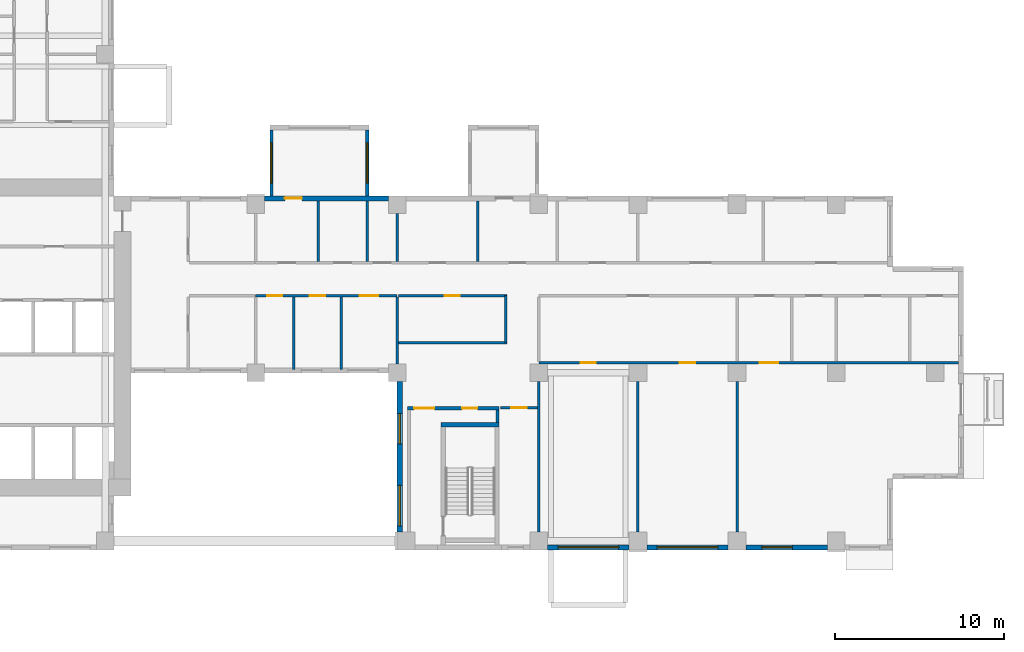
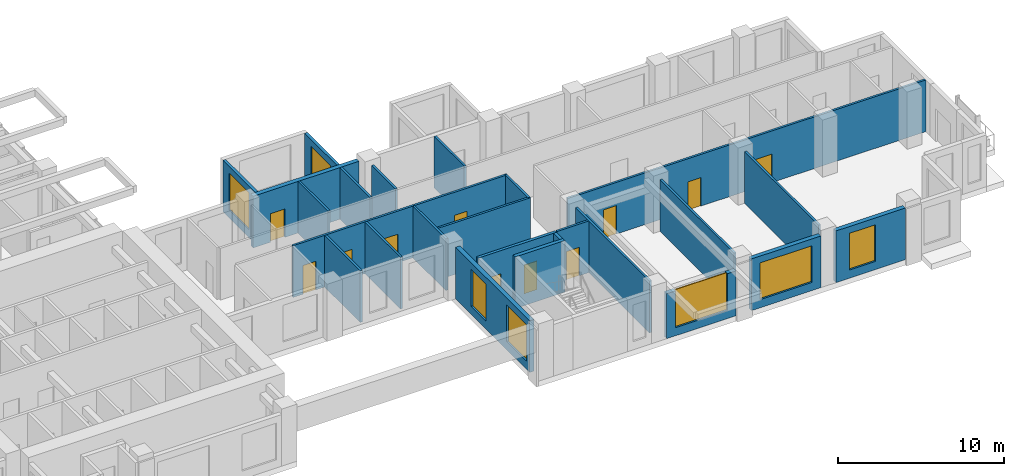
# One storey, part 4 of 14: 26 walls, 11 doors, 7 windows, 18 openings.
"""IFC4 building model written with IfcOpenShell, lengths in metres."""

from ifc_helpers import new_model, si_unit, direction, frame, frame_2d, origin, place, context, subcontext, project, spatial, rectangle, extrude, source, transform, mapped, material, layer, layer_set, type_object, element, fill, save


model = new_model("IFC4")

# Units and contexts
model_context = context("Model", 3, precision=1e-05, world=origin(), true_north=direction((0.0, 1.0)))
body_context = subcontext(model_context, "Body", "Model", "MODEL_VIEW")
ifc_project = project(units=[si_unit("LENGTHUNIT", "METRE"), si_unit("AREAUNIT", "SQUARE_METRE"), si_unit("VOLUMEUNIT", "CUBIC_METRE"), si_unit("PLANEANGLEUNIT", "RADIAN"), si_unit("MASSUNIT", "GRAM", prefix="KILO")], contexts=[model_context])

# Site, building, storey
site_placement = place(None, origin())
site = spatial("IfcSite", under=ifc_project, at=site_placement, CompositionType="ELEMENT")
building_placement = place(site_placement, origin())
building = spatial("IfcBuilding", under=site, at=building_placement, Name="Aurelian Terraces", CompositionType="ELEMENT")
storey_placement = place(building_placement, frame((0.0, 0.0, 103.5)))
storey = spatial("IfcBuildingStorey", under=building, at=storey_placement, Name="L22", CompositionType="ELEMENT", Elevation=103.5)

# Wall, opening, window
ifc_material_1 = material(Name="Terracotta rainscreen cladding", Category="masonry")
ifc_layer_1 = layer(ifc_material_1, 0.3)
ifc_layer_set_1 = layer_set([ifc_layer_1], Name="EW-300")
wall_type_1 = type_object("IfcWallType", Name="EW-300", PredefinedType="STANDARD", material=ifc_layer_set_1)
wall_1_placement = place(storey_placement, frame((46.725, 0.15, 0.0), z_axis=(0.0, 0.0, 1.0), x_axis=(1.0, 0.0, 0.0)))
wall_1 = element("IfcWall", 1, at=wall_1_placement, inside=storey, type_object=wall_type_1, Name="External wall L22 F05.10", PredefinedType="STANDARD", context=body_context, shape_type="SweptSolid", body=[
    extrude(rectangle(XDim=4.83, YDim=0.3, at=frame_2d((2.415, 0.0))), origin(), (0.0, 0.0, 1.0), 3.3),
])
shared_shape_1 = source(origin(), body_context, "Body", "SweptSolid", [
    extrude(rectangle(XDim=3.6, YDim=2.7, at=frame_2d((1.8, 1.35))), frame((0.0, 0.16, 0.0), z_axis=(0.0, -1.0, 0.0), x_axis=(1.0, 0.0, 0.0)), (0.0, 0.0, 1.0), 0.32),
])
opening_1_placement = place(wall_1_placement, frame((0.615, 0.0, 0.6)))
opening_1 = element("IfcOpeningElement", 2, at=opening_1_placement, cuts=wall_1, Name="Opening W3627", PredefinedType="OPENING", context=body_context, shape_type="MappedRepresentation", body=[
    mapped(shared_shape_1, transform((0.0, 0.0, 0.0), scale=1.0)),
])
ifc_material_2 = material(Name="Clear glazing", Category="glass")
window_type_1 = type_object("IfcWindowType", Name="W-3600x2700", PartitioningType="SINGLE_PANEL", PredefinedType="WINDOW", material=ifc_material_2)
shared_shape_2 = source(origin(), body_context, "Body", "SweptSolid", [
    extrude(rectangle(XDim=3.6, YDim=2.7, at=frame_2d((1.8, 1.35))), frame((0.0, 0.03, 0.0), z_axis=(0.0, -1.0, 0.0), x_axis=(1.0, 0.0, 0.0)), (0.0, 0.0, 1.0), 0.06),
])
window_1_placement = place(opening_1_placement, origin())
window_1 = element("IfcWindow", 3, at=window_1_placement, inside=storey, type_object=window_type_1, Name="Window L22 L22-F05-10-0", OverallHeight=2.7, OverallWidth=3.6, PartitioningType="SINGLE_PANEL", PredefinedType="WINDOW", context=body_context, shape_type="MappedRepresentation", body=[
    mapped(shared_shape_2, transform((0.0, 0.0, 0.0), scale=1.0)),
])
fill(opening_1, window_1)

wall_2_placement = place(storey_placement, frame((52.605, 0.15, 0.0), z_axis=(0.0, 0.0, 1.0), x_axis=(1.0, 0.0, 0.0)))
wall_2 = element("IfcWall", 4, at=wall_2_placement, inside=storey, type_object=wall_type_1, Name="External wall L22 F05.11", PredefinedType="STANDARD", context=body_context, shape_type="SweptSolid", body=[
    extrude(rectangle(XDim=4.83, YDim=0.3, at=frame_2d((2.415, 0.0))), origin(), (0.0, 0.0, 1.0), 3.8),
])
opening_2_placement = place(wall_2_placement, frame((0.615, 0.0, 0.6)))
opening_2 = element("IfcOpeningElement", 5, at=opening_2_placement, cuts=wall_2, Name="Opening W3627", PredefinedType="OPENING", context=body_context, shape_type="MappedRepresentation", body=[
    mapped(shared_shape_1, transform((0.0, 0.0, 0.0), scale=1.0)),
])
window_2_placement = place(opening_2_placement, origin())
window_2 = element("IfcWindow", 6, at=window_2_placement, inside=storey, type_object=window_type_1, Name="Window L22 L22-F05-11-0", OverallHeight=2.7, OverallWidth=3.6, PartitioningType="SINGLE_PANEL", PredefinedType="WINDOW", context=body_context, shape_type="MappedRepresentation", body=[
    mapped(shared_shape_2, transform((0.0, 0.0, 0.0), scale=1.0)),
])
fill(opening_2, window_2)

# Wall
ifc_material_3 = material(Name="Gypsum board on steel studs", Category="steel")
ifc_layer_2 = layer(ifc_material_3, 0.15)
ifc_layer_set_2 = layer_set([ifc_layer_2], Name="Partition 150")
wall_type_2 = type_object("IfcWallType", Name="Partition 150", PredefinedType="PARTITIONING", material=ifc_layer_set_2)
wall_3_placement = place(storey_placement, frame((52.08, 1.049, 0.0), z_axis=(0.0, 0.0, 1.0), x_axis=(0.0, 1.0, 0.0)))
element("IfcWall", 7, at=wall_3_placement, inside=storey, type_object=wall_type_2, Name="Partition", PredefinedType="PARTITIONING", context=body_context, shape_type="SweptSolid", body=[
    extrude(rectangle(XDim=8.927, YDim=0.15, at=frame_2d((4.4635, 0.0))), origin(), (0.0, 0.0, 1.0), 3.8),
])

# Wall, opening, window
ifc_material_4 = material(Name="Concrete fc' 40 MPa", Category="concrete")
ifc_layer_3 = layer(ifc_material_4, 0.2)
ifc_layer_set_3 = layer_set([ifc_layer_3], Name="BOX BEARING WALL 200")
wall_type_3 = type_object("IfcWallType", Name="BOX BEARING WALL 200", PredefinedType="SOLIDWALL", material=ifc_layer_set_3)
shared_shape_3 = source(origin(), body_context, "Body", "SweptSolid", [
    extrude(rectangle(XDim=3.9, YDim=0.2, at=frame_2d((1.95, 0.0))), origin(), (0.0, 0.0, 1.0), 3.79),
])
wall_4_placement = place(storey_placement, frame((36.02, 21.0, 0.0), z_axis=(0.0, 0.0, 1.0), x_axis=(0.0, 1.0, 0.0)))
wall_4 = element("IfcWall", 8, at=wall_4_placement, inside=storey, type_object=wall_type_3, Name="Box return L22 J29.1", PredefinedType="SOLIDWALL", context=body_context, shape_type="MappedRepresentation", body=[
    mapped(shared_shape_3, transform((0.0, 0.0, 0.0), scale=1.0)),
])
shared_shape_4 = source(origin(), body_context, "Body", "SweptSolid", [
    extrude(rectangle(XDim=2.4, YDim=2.7, at=frame_2d((1.2, 1.35))), frame((0.0, 0.11, 0.0), z_axis=(0.0, -1.0, 0.0), x_axis=(1.0, 0.0, 0.0)), (0.0, 0.0, 1.0), 0.22),
])
opening_3_placement = place(wall_4_placement, frame((0.75, 0.0, 0.6)))
opening_3 = element("IfcOpeningElement", 9, at=opening_3_placement, cuts=wall_4, Name="Opening W2427", PredefinedType="OPENING", context=body_context, shape_type="MappedRepresentation", body=[
    mapped(shared_shape_4, transform((0.0, 0.0, 0.0), scale=1.0)),
])
window_type_2 = type_object("IfcWindowType", Name="W-2400x2700", PartitioningType="SINGLE_PANEL", PredefinedType="WINDOW", material=ifc_material_2)
shared_shape_5 = source(origin(), body_context, "Body", "SweptSolid", [
    extrude(rectangle(XDim=2.4, YDim=2.7, at=frame_2d((1.2, 1.35))), frame((0.0, 0.03, 0.0), z_axis=(0.0, -1.0, 0.0), x_axis=(1.0, 0.0, 0.0)), (0.0, 0.0, 1.0), 0.06),
])
window_3_placement = place(opening_3_placement, origin())
window_3 = element("IfcWindow", 10, at=window_3_placement, inside=storey, type_object=window_type_2, Name="Window L22 J29-S1", OverallHeight=2.7, OverallWidth=2.4, PartitioningType="SINGLE_PANEL", PredefinedType="WINDOW", context=body_context, shape_type="MappedRepresentation", body=[
    mapped(shared_shape_5, transform((0.0, 0.0, 0.0), scale=1.0)),
])
fill(opening_3, window_3)

wall_5_placement = place(storey_placement, frame((30.34, 21.0, 0.0), z_axis=(0.0, 0.0, 1.0), x_axis=(0.0, 1.0, 0.0)))
wall_5 = element("IfcWall", 11, at=wall_5_placement, inside=storey, type_object=wall_type_3, Name="Box return L22 J29.2", PredefinedType="SOLIDWALL", context=body_context, shape_type="MappedRepresentation", body=[
    mapped(shared_shape_3, transform((0.0, 0.0, 0.0), scale=1.0)),
])
opening_4_placement = place(wall_5_placement, frame((0.75, 0.0, 0.6)))
opening_4 = element("IfcOpeningElement", 12, at=opening_4_placement, cuts=wall_5, Name="Opening W2427", PredefinedType="OPENING", context=body_context, shape_type="MappedRepresentation", body=[
    mapped(shared_shape_4, transform((0.0, 0.0, 0.0), scale=1.0)),
])
window_4_placement = place(opening_4_placement, origin())
window_4 = element("IfcWindow", 13, at=window_4_placement, inside=storey, type_object=window_type_2, Name="Window L22 J29-S2", OverallHeight=2.7, OverallWidth=2.4, PartitioningType="SINGLE_PANEL", PredefinedType="WINDOW", context=body_context, shape_type="MappedRepresentation", body=[
    mapped(shared_shape_5, transform((0.0, 0.0, 0.0), scale=1.0)),
])
fill(opening_4, window_4)

# Wall, opening, door
shared_shape_6 = source(origin(), body_context, "Body", "SweptSolid", [
    extrude(rectangle(XDim=7.35, YDim=0.3, at=frame_2d((3.675, 0.0))), origin(), (0.0, 0.0, 1.0), 3.8),
])
wall_6_placement = place(storey_placement, frame((37.275, 20.85, 0.0), z_axis=(0.0, 0.0, 1.0), x_axis=(-1.0, 0.0, 0.0)))
wall_6 = element("IfcWall", 14, at=wall_6_placement, inside=storey, type_object=wall_type_1, Name="External wall L22 F11.23", PredefinedType="STANDARD", context=body_context, shape_type="MappedRepresentation", body=[
    mapped(shared_shape_6, transform((0.0, 0.0, 0.0), scale=1.0)),
])
shared_shape_7 = source(origin(), body_context, "Body", "SweptSolid", [
    extrude(rectangle(XDim=1.0, YDim=2.1, at=frame_2d((0.5, 1.05))), frame((0.0, 0.16, 0.0), z_axis=(0.0, -1.0, 0.0), x_axis=(1.0, 0.0, 0.0)), (0.0, 0.0, 1.0), 0.32),
])
opening_5_placement = place(wall_6_placement, frame((5.135, 0.0, 0.0)))
opening_5 = element("IfcOpeningElement", 15, at=opening_5_placement, cuts=wall_6, Name="Opening 822001", PredefinedType="OPENING", context=body_context, shape_type="MappedRepresentation", body=[
    mapped(shared_shape_7, transform((0.0, 0.0, 0.0), scale=1.0)),
])
ifc_material_5 = material(Name="Timber door leaf", Category="wood")
door_type_1 = type_object("IfcDoorType", Name="Room door 1000x2100 left", OperationType="SINGLE_SWING_LEFT", PredefinedType="DOOR", material=ifc_material_5)
shared_shape_8 = source(origin(), body_context, "Body", "SweptSolid", [
    extrude(rectangle(XDim=1.0, YDim=2.1, at=frame_2d((0.5, 1.05))), frame((0.0, 0.025, 0.0), z_axis=(0.0, -1.0, 0.0), x_axis=(1.0, 0.0, 0.0)), (0.0, 0.0, 1.0), 0.05),
])
door_1_placement = place(opening_5_placement, origin())
door_1 = element("IfcDoor", 16, at=door_1_placement, inside=storey, type_object=door_type_1, Name="Door 822001", OperationType="SINGLE_SWING_LEFT", OverallHeight=2.1, OverallWidth=1.0, PredefinedType="DOOR", context=body_context, shape_type="MappedRepresentation", body=[
    mapped(shared_shape_8, transform((0.0, 0.0, 0.0), scale=1.0)),
])
fill(opening_5, door_1)

# Wall, openings, windows
shared_shape_9 = source(origin(), body_context, "Body", "SweptSolid", [
    extrude(rectangle(XDim=8.925, YDim=0.3, at=frame_2d((4.4625, 0.0))), origin(), (0.0, 0.0, 1.0), 3.8),
])
wall_7_placement = place(storey_placement, frame((37.95, 9.975, 0.0), z_axis=(0.0, 0.0, 1.0), x_axis=(0.0, -1.0, 0.0)))
wall_7 = element("IfcWall", 17, at=wall_7_placement, inside=storey, type_object=wall_type_1, Name="External wall L22 F04.8", PredefinedType="STANDARD", context=body_context, shape_type="MappedRepresentation", body=[
    mapped(shared_shape_9, transform((0.0, 0.0, 0.0), scale=1.0)),
])
shared_shape_10 = source(origin(), body_context, "Body", "SweptSolid", [
    extrude(rectangle(XDim=1.8, YDim=2.7, at=frame_2d((0.9, 1.35))), frame((0.0, 0.16, 0.0), z_axis=(0.0, -1.0, 0.0), x_axis=(1.0, 0.0, 0.0)), (0.0, 0.0, 1.0), 0.32),
])
opening_6_placement = place(wall_7_placement, frame((1.8875, 0.0, 0.6)))
opening_6 = element("IfcOpeningElement", 18, at=opening_6_placement, cuts=wall_7, Name="Opening W1827", PredefinedType="OPENING", context=body_context, shape_type="MappedRepresentation", body=[
    mapped(shared_shape_10, transform((0.0, 0.0, 0.0), scale=1.0)),
])
shared_shape_11 = source(origin(), body_context, "Body", "SweptSolid", [
    extrude(rectangle(XDim=2.4, YDim=2.7, at=frame_2d((1.2, 1.35))), frame((0.0, 0.16, 0.0), z_axis=(0.0, -1.0, 0.0), x_axis=(1.0, 0.0, 0.0)), (0.0, 0.0, 1.0), 0.32),
])
opening_7_placement = place(wall_7_placement, frame((6.15, 0.0, 0.6)))
opening_7 = element("IfcOpeningElement", 19, at=opening_7_placement, cuts=wall_7, Name="Opening W2427", PredefinedType="OPENING", context=body_context, shape_type="MappedRepresentation", body=[
    mapped(shared_shape_11, transform((0.0, 0.0, 0.0), scale=1.0)),
])
window_5_placement = place(opening_7_placement, origin())
window_5 = element("IfcWindow", 20, at=window_5_placement, inside=storey, type_object=window_type_2, Name="Window L22 L22-F04-08-1", OverallHeight=2.7, OverallWidth=2.4, PartitioningType="SINGLE_PANEL", PredefinedType="WINDOW", context=body_context, shape_type="MappedRepresentation", body=[
    mapped(shared_shape_5, transform((0.0, 0.0, 0.0), scale=1.0)),
])
fill(opening_7, window_5)
window_type_3 = type_object("IfcWindowType", Name="W-1800x2700", PartitioningType="SINGLE_PANEL", PredefinedType="WINDOW", material=ifc_material_2)
shared_shape_12 = source(origin(), body_context, "Body", "SweptSolid", [
    extrude(rectangle(XDim=1.8, YDim=2.7, at=frame_2d((0.9, 1.35))), frame((0.0, 0.03, 0.0), z_axis=(0.0, -1.0, 0.0), x_axis=(1.0, 0.0, 0.0)), (0.0, 0.0, 1.0), 0.06),
])
window_6_placement = place(opening_6_placement, origin())
window_6 = element("IfcWindow", 21, at=window_6_placement, inside=storey, type_object=window_type_3, Name="Window L22 L22-F04-08-0", OverallHeight=2.7, OverallWidth=1.8, PartitioningType="SINGLE_PANEL", PredefinedType="WINDOW", context=body_context, shape_type="MappedRepresentation", body=[
    mapped(shared_shape_12, transform((0.0, 0.0, 0.0), scale=1.0)),
])
fill(opening_6, window_6)

# Wall, opening, window
shared_shape_13 = source(origin(), body_context, "Body", "SweptSolid", [
    extrude(rectangle(XDim=4.83, YDim=0.3, at=frame_2d((2.415, 0.0))), origin(), (0.0, 0.0, 1.0), 3.8),
])
wall_8_placement = place(storey_placement, frame((58.485, 0.15, 0.0), z_axis=(0.0, 0.0, 1.0), x_axis=(1.0, 0.0, 0.0)))
wall_8 = element("IfcWall", 22, at=wall_8_placement, inside=storey, type_object=wall_type_1, Name="External wall L22 F05.12", PredefinedType="STANDARD", context=body_context, shape_type="MappedRepresentation", body=[
    mapped(shared_shape_13, transform((0.0, 0.0, 0.0), scale=1.0)),
])
opening_8_placement = place(wall_8_placement, frame((0.9525, 0.0, 0.6)))
opening_8 = element("IfcOpeningElement", 23, at=opening_8_placement, cuts=wall_8, Name="Opening W1827", PredefinedType="OPENING", context=body_context, shape_type="MappedRepresentation", body=[
    mapped(shared_shape_10, transform((0.0, 0.0, 0.0), scale=1.0)),
])
window_7_placement = place(opening_8_placement, origin())
window_7 = element("IfcWindow", 24, at=window_7_placement, inside=storey, type_object=window_type_3, Name="Window L22 L22-F05-12-0", OverallHeight=2.7, OverallWidth=1.8, PartitioningType="SINGLE_PANEL", PredefinedType="WINDOW", context=body_context, shape_type="MappedRepresentation", body=[
    mapped(shared_shape_12, transform((0.0, 0.0, 0.0), scale=1.0)),
])
fill(opening_8, window_7)

# Wall
ifc_layer_4 = layer(ifc_material_4, 0.25)
ifc_layer_set_4 = layer_set([ifc_layer_4], Name="Stair enclosure wall 250")
wall_type_4 = type_object("IfcWallType", Name="Stair enclosure wall 250", PredefinedType="SOLIDWALL", material=ifc_layer_set_4)
shared_shape_14 = source(origin(), body_context, "Body", "SweptSolid", [
    extrude(rectangle(XDim=3.45, YDim=0.25, at=frame_2d((1.725, 0.0))), origin(), (0.0, 0.0, 1.0), 3.8),
])
wall_9_placement = place(storey_placement, frame((40.4, 7.425, 0.0), z_axis=(0.0, 0.0, 1.0), x_axis=(1.0, 0.0, 0.0)))
element("IfcWall", 25, at=wall_9_placement, inside=storey, type_object=wall_type_4, Name="L22 core wall ST-S2-N", PredefinedType="SOLIDWALL", context=body_context, shape_type="MappedRepresentation", body=[
    mapped(shared_shape_14, transform((0.0, 0.0, 0.0), scale=1.0)),
])

# Wall, openings, doors
ifc_layer_5 = layer(ifc_material_3, 0.2)
ifc_layer_set_5 = layer_set([ifc_layer_5], Name="Core partition 200")
wall_type_5 = type_object("IfcWallType", Name="Core partition 200", PredefinedType="PARTITIONING", material=ifc_layer_set_5)
shared_shape_15 = source(origin(), body_context, "Body", "SweptSolid", [
    extrude(rectangle(XDim=5.45, YDim=0.2, at=frame_2d((2.725, 0.0))), origin(), (0.0, 0.0, 1.0), 3.8),
])
wall_10_placement = place(storey_placement, frame((38.4, 8.4, 0.0), z_axis=(0.0, 0.0, 1.0), x_axis=(1.0, 0.0, 0.0)))
wall_10 = element("IfcWall", 26, at=wall_10_placement, inside=storey, type_object=wall_type_5, Name="L22 core wall ST-S2-BN", PredefinedType="PARTITIONING", context=body_context, shape_type="MappedRepresentation", body=[
    mapped(shared_shape_15, transform((0.0, 0.0, 0.0), scale=1.0)),
])
shared_shape_16 = source(origin(), body_context, "Body", "SweptSolid", [
    extrude(rectangle(XDim=1.2, YDim=2.1, at=frame_2d((0.6, 1.05))), frame((0.0, 0.11, 0.0), z_axis=(0.0, -1.0, 0.0), x_axis=(1.0, 0.0, 0.0)), (0.0, 0.0, 1.0), 0.22),
])
opening_9_placement = place(wall_10_placement, frame((0.4, 0.0, 0.0)))
opening_9 = element("IfcOpeningElement", 27, at=opening_9_placement, cuts=wall_10, Name="Opening 62515", PredefinedType="OPENING", context=body_context, shape_type="MappedRepresentation", body=[
    mapped(shared_shape_16, transform((0.0, 0.0, 0.0), scale=1.0)),
])
shared_shape_17 = source(origin(), body_context, "Body", "SweptSolid", [
    extrude(rectangle(XDim=0.9, YDim=2.1, at=frame_2d((0.45, 1.05))), frame((0.0, 0.11, 0.0), z_axis=(0.0, -1.0, 0.0), x_axis=(1.0, 0.0, 0.0)), (0.0, 0.0, 1.0), 0.22),
])
opening_10_placement = place(wall_10_placement, frame((3.25, 0.0, 0.0)))
opening_10 = element("IfcOpeningElement", 28, at=opening_10_placement, cuts=wall_10, Name="Opening 62516", PredefinedType="OPENING", context=body_context, shape_type="MappedRepresentation", body=[
    mapped(shared_shape_17, transform((0.0, 0.0, 0.0), scale=1.0)),
])
ifc_material_6 = material(Name="Steel door leaf", Category="steel")
door_type_2 = type_object("IfcDoorType", Name="Core riser door 900x2100 right", OperationType="SINGLE_SWING_RIGHT", PredefinedType="DOOR", material=ifc_material_6)
shared_shape_18 = source(origin(), body_context, "Body", "SweptSolid", [
    extrude(rectangle(XDim=0.9, YDim=2.1, at=frame_2d((0.45, 1.05))), frame((0.0, 0.025, 0.0), z_axis=(0.0, -1.0, 0.0), x_axis=(1.0, 0.0, 0.0)), (0.0, 0.0, 1.0), 0.05),
])
door_2_placement = place(opening_10_placement, origin())
door_2 = element("IfcDoor", 29, at=door_2_placement, inside=storey, type_object=door_type_2, Name="Riser door 62516", OperationType="SINGLE_SWING_RIGHT", OverallHeight=2.1, OverallWidth=0.9, PredefinedType="DOOR", context=body_context, shape_type="MappedRepresentation", body=[
    mapped(shared_shape_18, transform((0.0, 0.0, 0.0), scale=1.0)),
])
fill(opening_10, door_2)
door_type_3 = type_object("IfcDoorType", Name="Core fire door 1200x2100", OperationType="SINGLE_SWING_LEFT", PredefinedType="DOOR", material=ifc_material_6)
shared_shape_19 = source(origin(), body_context, "Body", "SweptSolid", [
    extrude(rectangle(XDim=1.2, YDim=2.1, at=frame_2d((0.6, 1.05))), frame((0.0, 0.025, 0.0), z_axis=(0.0, -1.0, 0.0), x_axis=(1.0, 0.0, 0.0)), (0.0, 0.0, 1.0), 0.05),
])
door_3_placement = place(opening_9_placement, origin())
door_3 = element("IfcDoor", 30, at=door_3_placement, inside=storey, type_object=door_type_3, Name="Vestibule door 62515", OperationType="SINGLE_SWING_LEFT", OverallHeight=2.1, OverallWidth=1.2, PredefinedType="DOOR", context=body_context, shape_type="MappedRepresentation", body=[
    mapped(shared_shape_19, transform((0.0, 0.0, 0.0), scale=1.0)),
])
fill(opening_9, door_3)

# Walls
shared_shape_20 = source(origin(), body_context, "Body", "SweptSolid", [
    extrude(rectangle(XDim=0.75, YDim=0.2, at=frame_2d((0.375, 0.0))), origin(), (0.0, 0.0, 1.0), 3.8),
])
wall_11_placement = place(storey_placement, frame((43.75, 7.55, 0.0), z_axis=(0.0, 0.0, 1.0), x_axis=(0.0, 1.0, 0.0)))
element("IfcWall", 31, at=wall_11_placement, inside=storey, type_object=wall_type_5, Name="L22 core wall ST-S2-RE", PredefinedType="PARTITIONING", context=body_context, shape_type="MappedRepresentation", body=[
    mapped(shared_shape_20, transform((0.0, 0.0, 0.0), scale=1.0)),
])
shared_shape_21 = source(origin(), body_context, "Body", "SweptSolid", [
    extrude(rectangle(XDim=6.45, YDim=0.15, at=frame_2d((3.225, 0.0))), origin(), (0.0, 0.0, 1.0), 3.8),
])
wall_12_placement = place(storey_placement, frame((37.875, 12.3, 0.0), z_axis=(0.0, 0.0, 1.0), x_axis=(1.0, 0.0, 0.0)))
element("IfcWall", 32, at=wall_12_placement, inside=storey, type_object=wall_type_2, Name="Partition", PredefinedType="PARTITIONING", context=body_context, shape_type="MappedRepresentation", body=[
    mapped(shared_shape_21, transform((0.0, 0.0, 0.0), scale=1.0)),
])

# Wall, opening, door
ifc_layer_6 = layer(ifc_material_3, 0.15)
ifc_layer_set_6 = layer_set([ifc_layer_6], Name="Fire partition 150")
wall_type_6 = type_object("IfcWallType", Name="Fire partition 150", PredefinedType="PARTITIONING", material=ifc_layer_set_6)
wall_13_placement = place(storey_placement, frame((44.325, 15.075, 0.0), z_axis=(0.0, 0.0, 1.0), x_axis=(-1.0, 0.0, 0.0)))
wall_13 = element("IfcWall", 33, at=wall_13_placement, inside=storey, type_object=wall_type_6, Name="Corridor wall", PredefinedType="PARTITIONING", context=body_context, shape_type="MappedRepresentation", body=[
    mapped(shared_shape_21, transform((0.0, 0.0, 0.0), scale=1.0)),
])
shared_shape_22 = source(origin(), body_context, "Body", "SweptSolid", [
    extrude(rectangle(XDim=0.9, YDim=2.1, at=frame_2d((0.45, 1.05))), frame((0.0, 0.085, 0.0), z_axis=(0.0, -1.0, 0.0), x_axis=(1.0, 0.0, 0.0)), (0.0, 0.0, 1.0), 0.17),
])
opening_11_placement = place(wall_13_placement, frame((2.8125, 0.0, 0.0)))
opening_11 = element("IfcOpeningElement", 34, at=opening_11_placement, cuts=wall_13, Name="Opening 722003", PredefinedType="OPENING", context=body_context, shape_type="MappedRepresentation", body=[
    mapped(shared_shape_22, transform((0.0, 0.0, 0.0), scale=1.0)),
])
door_type_4 = type_object("IfcDoorType", Name="Room door 900x2100 right", OperationType="SINGLE_SWING_RIGHT", PredefinedType="DOOR", material=ifc_material_5)
door_4_placement = place(opening_11_placement, origin())
door_4 = element("IfcDoor", 35, at=door_4_placement, inside=storey, type_object=door_type_4, Name="Door 722003", OperationType="SINGLE_SWING_RIGHT", OverallHeight=2.1, OverallWidth=0.9, PredefinedType="DOOR", context=body_context, shape_type="MappedRepresentation", body=[
    mapped(shared_shape_18, transform((0.0, 0.0, 0.0), scale=1.0)),
])
fill(opening_11, door_4)

# Walls
shared_shape_23 = source(origin(), body_context, "Body", "SweptSolid", [
    extrude(rectangle(XDim=3.6, YDim=0.15, at=frame_2d((1.8, 0.0))), origin(), (0.0, 0.0, 1.0), 3.8),
])
for number, where, z_axis, x_axis, name in (
    (36, (33.1133, 20.7, 0.0), (0.0, 0.0, 1.0), (0.0, -1.0, 0.0), "Partition"),
    (37, (36.024, 20.7, 0.0), (0.0, 0.0, 1.0), (0.0, -1.0, 0.0), "Partition"),
    (38, (42.585, 20.7, 0.0), (0.0, 0.0, 1.0), (0.0, -1.0, 0.0), "Partition"),
):
    element("IfcWall", number, at=place(storey_placement, frame(where, z_axis=z_axis, x_axis=x_axis)), inside=storey, type_object=wall_type_2, Name=name, PredefinedType="PARTITIONING", context=body_context, shape_type="MappedRepresentation", body=[
        mapped(shared_shape_23, transform((0.0, 0.0, 0.0), scale=1.0)),
    ])

# Wall, openings, doors
shared_shape_24 = source(origin(), body_context, "Body", "SweptSolid", [
    extrude(rectangle(XDim=8.4, YDim=0.15, at=frame_2d((4.2, 0.0))), origin(), (0.0, 0.0, 1.0), 3.8),
])
wall_14_placement = place(storey_placement, frame((37.8, 15.075, 0.0), z_axis=(0.0, 0.0, 1.0), x_axis=(-1.0, 0.0, 0.0)))
wall_14 = element("IfcWall", 39, at=wall_14_placement, inside=storey, type_object=wall_type_6, Name="Corridor wall", PredefinedType="PARTITIONING", context=body_context, shape_type="MappedRepresentation", body=[
    mapped(shared_shape_24, transform((0.0, 0.0, 0.0), scale=1.0)),
])
shared_shape_25 = source(origin(), body_context, "Body", "SweptSolid", [
    extrude(rectangle(XDim=1.1, YDim=2.1, at=frame_2d((0.55, 1.05))), frame((0.0, 0.085, 0.0), z_axis=(0.0, -1.0, 0.0), x_axis=(1.0, 0.0, 0.0)), (0.0, 0.0, 1.0), 0.17),
])
opening_12_placement = place(wall_14_placement, frame((1.1146, 0.0, 0.0)))
opening_12 = element("IfcOpeningElement", 40, at=opening_12_placement, cuts=wall_14, Name="Opening 722005", PredefinedType="OPENING", context=body_context, shape_type="MappedRepresentation", body=[
    mapped(shared_shape_25, transform((0.0, 0.0, 0.0), scale=1.0)),
])
opening_13_placement = place(wall_14_placement, frame((6.8178, 0.0, 0.0)))
opening_13 = element("IfcOpeningElement", 41, at=opening_13_placement, cuts=wall_14, Name="Opening 722006", PredefinedType="OPENING", context=body_context, shape_type="MappedRepresentation", body=[
    mapped(shared_shape_22, transform((0.0, 0.0, 0.0), scale=1.0)),
])
opening_14_placement = place(wall_14_placement, frame((4.2824, 0.0, 0.0)))
opening_14 = element("IfcOpeningElement", 42, at=opening_14_placement, cuts=wall_14, Name="Opening 722007", PredefinedType="OPENING", context=body_context, shape_type="MappedRepresentation", body=[
    mapped(shared_shape_22, transform((0.0, 0.0, 0.0), scale=1.0)),
])
door_type_5 = type_object("IfcDoorType", Name="Room door 900x2100 left", OperationType="SINGLE_SWING_LEFT", PredefinedType="DOOR", material=ifc_material_5)
door_5_placement = place(opening_13_placement, origin())
door_5 = element("IfcDoor", 43, at=door_5_placement, inside=storey, type_object=door_type_5, Name="Door 722006", OperationType="SINGLE_SWING_LEFT", OverallHeight=2.1, OverallWidth=0.9, PredefinedType="DOOR", context=body_context, shape_type="MappedRepresentation", body=[
    mapped(shared_shape_18, transform((0.0, 0.0, 0.0), scale=1.0)),
])
fill(opening_13, door_5)
door_6_placement = place(opening_14_placement, origin())
door_6 = element("IfcDoor", 44, at=door_6_placement, inside=storey, type_object=door_type_4, Name="Door 722007", OperationType="SINGLE_SWING_RIGHT", OverallHeight=2.1, OverallWidth=0.9, PredefinedType="DOOR", context=body_context, shape_type="MappedRepresentation", body=[
    mapped(shared_shape_18, transform((0.0, 0.0, 0.0), scale=1.0)),
])
fill(opening_14, door_6)
door_type_6 = type_object("IfcDoorType", Name="Room door 1100x2100 left", OperationType="SINGLE_SWING_LEFT", PredefinedType="DOOR", material=ifc_material_5)
shared_shape_26 = source(origin(), body_context, "Body", "SweptSolid", [
    extrude(rectangle(XDim=1.1, YDim=2.1, at=frame_2d((0.55, 1.05))), frame((0.0, 0.025, 0.0), z_axis=(0.0, -1.0, 0.0), x_axis=(1.0, 0.0, 0.0)), (0.0, 0.0, 1.0), 0.05),
])
door_7_placement = place(opening_12_placement, origin())
door_7 = element("IfcDoor", 45, at=door_7_placement, inside=storey, type_object=door_type_6, Name="Door 722005", OperationType="SINGLE_SWING_LEFT", OverallHeight=2.1, OverallWidth=1.1, PredefinedType="DOOR", context=body_context, shape_type="MappedRepresentation", body=[
    mapped(shared_shape_26, transform((0.0, 0.0, 0.0), scale=1.0)),
])
fill(opening_12, door_7)

shared_shape_27 = source(origin(), body_context, "Body", "SweptSolid", [
    extrude(rectangle(XDim=24.9, YDim=0.15, at=frame_2d((12.45, 0.0))), origin(), (0.0, 0.0, 1.0), 3.8),
])
wall_15_placement = place(storey_placement, frame((71.1, 11.1, 0.0), z_axis=(0.0, 0.0, 1.0), x_axis=(-1.0, 0.0, 0.0)))
wall_15 = element("IfcWall", 46, at=wall_15_placement, inside=storey, type_object=wall_type_2, Name="Partition", PredefinedType="PARTITIONING", context=body_context, shape_type="MappedRepresentation", body=[
    mapped(shared_shape_27, transform((0.0, 0.0, 0.0), scale=1.0)),
])
opening_15_placement = place(wall_15_placement, frame((21.51, 0.0, 0.0)))
opening_15 = element("IfcOpeningElement", 47, at=opening_15_placement, cuts=wall_15, Name="Opening 722009", PredefinedType="OPENING", context=body_context, shape_type="MappedRepresentation", body=[
    mapped(shared_shape_22, transform((0.0, 0.0, 0.0), scale=1.0)),
])
opening_16_placement = place(wall_15_placement, frame((15.63, 0.0, 0.0)))
opening_16 = element("IfcOpeningElement", 48, at=opening_16_placement, cuts=wall_15, Name="Opening 722010", PredefinedType="OPENING", context=body_context, shape_type="MappedRepresentation", body=[
    mapped(shared_shape_22, transform((0.0, 0.0, 0.0), scale=1.0)),
])
opening_17_placement = place(wall_15_placement, frame((10.6916, 0.0, 0.0)))
opening_17 = element("IfcOpeningElement", 49, at=opening_17_placement, cuts=wall_15, Name="Opening 722012", PredefinedType="OPENING", context=body_context, shape_type="MappedRepresentation", body=[
    mapped(shared_shape_25, transform((0.0, 0.0, 0.0), scale=1.0)),
])
door_8_placement = place(opening_15_placement, origin())
door_8 = element("IfcDoor", 50, at=door_8_placement, inside=storey, type_object=door_type_4, Name="Door 722009", OperationType="SINGLE_SWING_RIGHT", OverallHeight=2.1, OverallWidth=0.9, PredefinedType="DOOR", context=body_context, shape_type="MappedRepresentation", body=[
    mapped(shared_shape_18, transform((0.0, 0.0, 0.0), scale=1.0)),
])
fill(opening_15, door_8)
door_9_placement = place(opening_16_placement, origin())
door_9 = element("IfcDoor", 51, at=door_9_placement, inside=storey, type_object=door_type_5, Name="Door 722010", OperationType="SINGLE_SWING_LEFT", OverallHeight=2.1, OverallWidth=0.9, PredefinedType="DOOR", context=body_context, shape_type="MappedRepresentation", body=[
    mapped(shared_shape_18, transform((0.0, 0.0, 0.0), scale=1.0)),
])
fill(opening_16, door_9)
door_type_7 = type_object("IfcDoorType", Name="Room door 1100x2100 right", OperationType="SINGLE_SWING_RIGHT", PredefinedType="DOOR", material=ifc_material_5)
door_10_placement = place(opening_17_placement, origin())
door_10 = element("IfcDoor", 52, at=door_10_placement, inside=storey, type_object=door_type_7, Name="Door 722012", OperationType="SINGLE_SWING_RIGHT", OverallHeight=2.1, OverallWidth=1.1, PredefinedType="DOOR", context=body_context, shape_type="MappedRepresentation", body=[
    mapped(shared_shape_26, transform((0.0, 0.0, 0.0), scale=1.0)),
])
fill(opening_17, door_10)

# Wall, opening, door
shared_shape_28 = source(origin(), body_context, "Body", "SweptSolid", [
    extrude(rectangle(XDim=2.2, YDim=0.15, at=frame_2d((1.1, 0.0))), origin(), (0.0, 0.0, 1.0), 3.8),
])
wall_16_placement = place(storey_placement, frame((46.125, 8.425, 0.0), z_axis=(0.0, 0.0, 1.0), x_axis=(-1.0, 0.0, 0.0)))
wall_16 = element("IfcWall", 53, at=wall_16_placement, inside=storey, type_object=wall_type_2, Name="Partition", PredefinedType="PARTITIONING", context=body_context, shape_type="MappedRepresentation", body=[
    mapped(shared_shape_28, transform((0.0, 0.0, 0.0), scale=1.0)),
])
opening_18_placement = place(wall_16_placement, frame((0.65, 0.0, 0.0)))
opening_18 = element("IfcOpeningElement", 54, at=opening_18_placement, cuts=wall_16, Name="Opening 722004", PredefinedType="OPENING", context=body_context, shape_type="MappedRepresentation", body=[
    mapped(shared_shape_22, transform((0.0, 0.0, 0.0), scale=1.0)),
])
door_11_placement = place(opening_18_placement, origin())
door_11 = element("IfcDoor", 55, at=door_11_placement, inside=storey, type_object=door_type_4, Name="Door 722004", OperationType="SINGLE_SWING_RIGHT", OverallHeight=2.1, OverallWidth=0.9, PredefinedType="DOOR", context=body_context, shape_type="MappedRepresentation", body=[
    mapped(shared_shape_18, transform((0.0, 0.0, 0.0), scale=1.0)),
])
fill(opening_18, door_11)

# Walls
shared_shape_29 = source(origin(), body_context, "Body", "SweptSolid", [
    extrude(rectangle(XDim=4.295, YDim=0.15, at=frame_2d((2.1475, 0.0))), origin(), (0.0, 0.0, 1.0), 3.8),
])
for number, where, z_axis, x_axis, name in (
    (56, (31.6645, 10.705, 0.0), (0.0, 0.0, 1.0), (0.0, 1.0, 0.0), "Partition"),
    (57, (34.4708, 10.705, 0.0), (0.0, 0.0, 1.0), (0.0, 1.0, 0.0), "Partition"),
):
    element("IfcWall", number, at=place(storey_placement, frame(where, z_axis=z_axis, x_axis=x_axis)), inside=storey, type_object=wall_type_2, Name=name, PredefinedType="PARTITIONING", context=body_context, shape_type="MappedRepresentation", body=[
        mapped(shared_shape_29, transform((0.0, 0.0, 0.0), scale=1.0)),
    ])
shared_shape_30 = source(origin(), body_context, "Body", "SweptSolid", [
    extrude(rectangle(XDim=2.775, YDim=0.15, at=frame_2d((1.3875, 0.0))), origin(), (0.0, 0.0, 1.0), 3.8),
])
wall_17_placement = place(storey_placement, frame((44.25, 12.3, 0.0), z_axis=(0.0, 0.0, 1.0), x_axis=(0.0, 1.0, 0.0)))
element("IfcWall", 58, at=wall_17_placement, inside=storey, type_object=wall_type_2, Name="Partition", PredefinedType="PARTITIONING", context=body_context, shape_type="MappedRepresentation", body=[
    mapped(shared_shape_30, transform((0.0, 0.0, 0.0), scale=1.0)),
])
shared_shape_31 = source(origin(), body_context, "Body", "SweptSolid", [
    extrude(rectangle(XDim=3.976, YDim=0.15, at=frame_2d((1.988, 0.0))), origin(), (0.0, 0.0, 1.0), 3.8),
])
wall_18_placement = place(storey_placement, frame((37.8, 11.024, 0.0), z_axis=(0.0, 0.0, 1.0), x_axis=(0.0, 1.0, 0.0)))
element("IfcWall", 59, at=wall_18_placement, inside=storey, type_object=wall_type_2, Name="Partition", PredefinedType="PARTITIONING", context=body_context, shape_type="MappedRepresentation", body=[
    mapped(shared_shape_31, transform((0.0, 0.0, 0.0), scale=1.0)),
])
shared_shape_32 = source(origin(), body_context, "Body", "SweptSolid", [
    extrude(rectangle(XDim=8.927, YDim=0.15, at=frame_2d((4.4635, 0.0))), origin(), (0.0, 0.0, 1.0), 3.8),
])
for number, where, z_axis, x_axis, name in (
    (60, (46.2, 1.049, 0.0), (0.0, 0.0, 1.0), (0.0, 1.0, 0.0), "Partition"),
    (61, (57.96, 1.049, 0.0), (0.0, 0.0, 1.0), (0.0, 1.0, 0.0), "Partition"),
):
    element("IfcWall", number, at=place(storey_placement, frame(where, z_axis=z_axis, x_axis=x_axis)), inside=storey, type_object=wall_type_2, Name=name, PredefinedType="PARTITIONING", context=body_context, shape_type="MappedRepresentation", body=[
        mapped(shared_shape_32, transform((0.0, 0.0, 0.0), scale=1.0)),
    ])
shared_shape_33 = source(origin(), body_context, "Body", "SweptSolid", [
    extrude(rectangle(XDim=2.851, YDim=0.15, at=frame_2d((1.4255, 0.0))), origin(), (0.0, 0.0, 1.0), 3.8),
])
wall_19_placement = place(storey_placement, frame((37.8, 17.1, 0.0), z_axis=(0.0, 0.0, 1.0), x_axis=(0.0, 1.0, 0.0)))
element("IfcWall", 62, at=wall_19_placement, inside=storey, type_object=wall_type_2, Name="Partition", PredefinedType="PARTITIONING", context=body_context, shape_type="MappedRepresentation", body=[
    mapped(shared_shape_33, transform((0.0, 0.0, 0.0), scale=1.0)),
])

save(model, "model.ifc")
